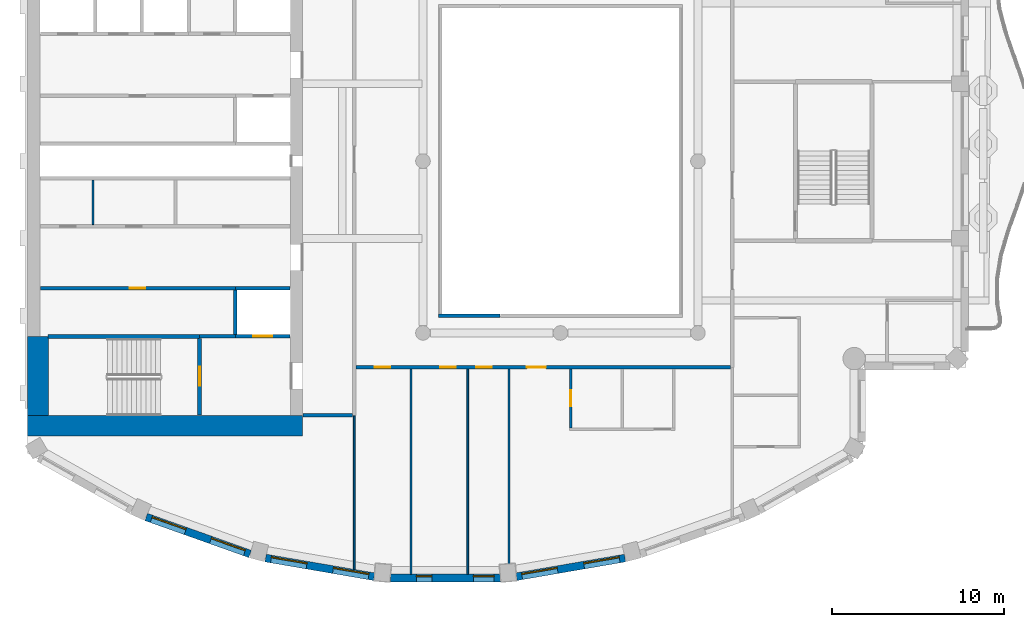
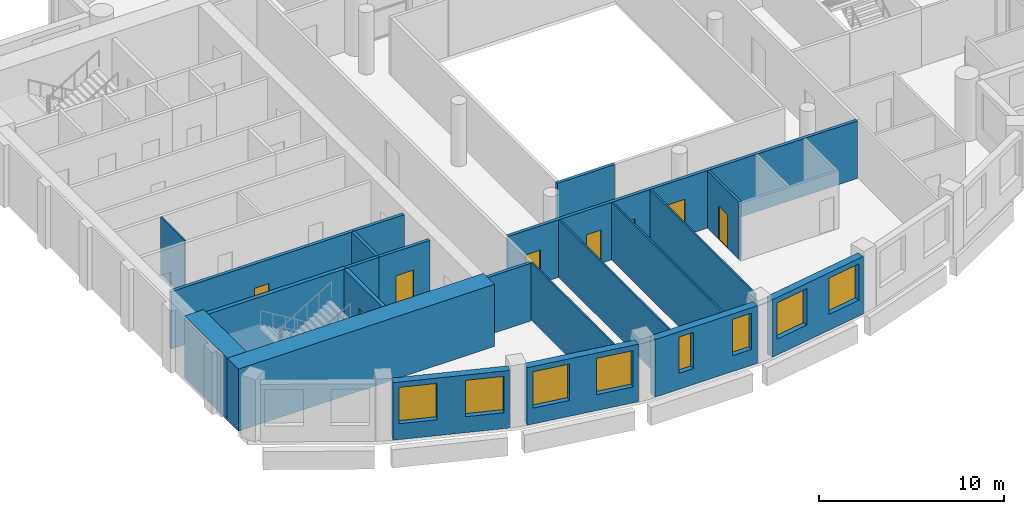
# One storey, part 4 of 14: 22 walls, 8 doors, 8 windows, 16 openings.
"""IFC4 building model written with IfcOpenShell, lengths in metres."""

from ifc_helpers import new_model, si_unit, direction, frame, frame_2d, origin, place, context, subcontext, project, spatial, rectangle, extrude, material, layer, layer_set, type_object, element, fill, save


model = new_model("IFC4")

# Units and contexts
model_context = context("Model", 3, precision=1e-05, world=origin(), true_north=direction((0.0, 1.0)))
body_context = subcontext(model_context, "Body", "Model", "MODEL_VIEW")
ifc_project = project(units=[si_unit("LENGTHUNIT", "METRE"), si_unit("AREAUNIT", "SQUARE_METRE"), si_unit("VOLUMEUNIT", "CUBIC_METRE"), si_unit("PLANEANGLEUNIT", "RADIAN"), si_unit("MASSUNIT", "GRAM", prefix="KILO")], contexts=[model_context])

# Site, building, storey
site_placement = place(None, origin())
site = spatial("IfcSite", under=ifc_project, at=site_placement, CompositionType="ELEMENT")
building_placement = place(site_placement, origin())
building = spatial("IfcBuilding", under=site, at=building_placement, Name="Cypress Arch Tower", CompositionType="ELEMENT")
storey_placement = place(building_placement, frame((0.0, 0.0, 280.300048828125)))
storey = spatial("IfcBuildingStorey", under=building, at=storey_placement, Name="L63", CompositionType="ELEMENT", Elevation=280.300048828125)

# Wall, openings, windows
ifc_material_1 = material(Name="Brick (red buff blend)", Category="masonry")
ifc_layer_1 = layer(ifc_material_1, 0.449951171875)
ifc_layer_set_1 = layer_set([ifc_layer_1], Name="Brick pier and spandrel wall BW450")
wall_type_1 = type_object("IfcWallType", Name="Brick pier and spandrel wall BW450", PredefinedType="SOLIDWALL", material=ifc_layer_set_1)
wall_1_placement = place(storey_placement, frame((-23.10498046875, -20.70947265625, 0.0), z_axis=(0.0, 0.0, 1.0), x_axis=(0.942104058931, -0.335320655711, 0.0)))
wall_1 = element("IfcWall", 1, at=wall_1_placement, inside=storey, type_object=wall_type_1, Name="Brick wall L63 C09.0", PredefinedType="SOLIDWALL", context=body_context, shape_type="SweptSolid", body=[
    extrude(rectangle(XDim=6.411376953125, YDim=0.449951171875, at=frame_2d((3.20556640625, 0.0))), origin(), (0.0, 0.0, 1.0), 3.800048828125),
])
opening_1_placement = place(wall_1_placement, frame((0.3271484375, 0.0, 1.050048828125)))
opening_1 = element("IfcOpeningElement", 2, at=opening_1_placement, cuts=wall_1, Name="Opening W210O", PredefinedType="OPENING", context=body_context, shape_type="SweptSolid", body=[
    extrude(rectangle(XDim=2.10009765625, YDim=2.39990234375, at=frame_2d((1.050048828125, 1.199951171875))), frame((0.0, 0.23486328125, 0.0), z_axis=(0.0, -1.0, 0.0), x_axis=(1.0, 0.0, 0.0)), (0.0, 0.0, 1.0), 0.469970703125),
])
opening_2_placement = place(wall_1_placement, frame((3.984619140625, 0.0, 1.050048828125)))
opening_2 = element("IfcOpeningElement", 3, at=opening_2_placement, cuts=wall_1, Name="Opening W210O", PredefinedType="OPENING", context=body_context, shape_type="SweptSolid", body=[
    extrude(rectangle(XDim=2.10009765625, YDim=2.39990234375, at=frame_2d((1.050048828125, 1.199951171875))), frame((0.0, 0.23486328125, 0.0), z_axis=(0.0, -1.0, 0.0), x_axis=(1.0, 0.0, 0.0)), (0.0, 0.0, 1.0), 0.469970703125),
])
ifc_material_2 = material(Name="Anodised aluminium, bronze finish, clear low-emissivity double glazing", Category="aluminium")
window_type_1 = type_object("IfcWindowType", Name="Window Office 2100x2400", PartitioningType="SINGLE_PANEL", PredefinedType="WINDOW", material=ifc_material_2)
window_1_placement = place(opening_1_placement, origin())
window_1 = element("IfcWindow", 4, at=window_1_placement, inside=storey, type_object=window_type_1, Name="Window L63 C09.0.1", OverallHeight=2.39990234375, OverallWidth=2.10009765625, PartitioningType="SINGLE_PANEL", PredefinedType="WINDOW", context=body_context, shape_type="SweptSolid", body=[
    extrude(rectangle(XDim=2.10009765625, YDim=2.39990234375, at=frame_2d((1.050048828125, 1.199951171875))), frame((0.0, 0.135009765625, 0.0), z_axis=(0.0, -1.0, 0.0), x_axis=(1.0, 0.0, 0.0)), (0.0, 0.0, 1.0), 0.06005859375),
])
fill(opening_1, window_1)
window_2_placement = place(opening_2_placement, origin())
window_2 = element("IfcWindow", 5, at=window_2_placement, inside=storey, type_object=window_type_1, Name="Window L63 C09.0.2", OverallHeight=2.39990234375, OverallWidth=2.10009765625, PartitioningType="SINGLE_PANEL", PredefinedType="WINDOW", context=body_context, shape_type="SweptSolid", body=[
    extrude(rectangle(XDim=2.10009765625, YDim=2.39990234375, at=frame_2d((1.050048828125, 1.199951171875))), frame((0.0, 0.135009765625, 0.0), z_axis=(0.0, -1.0, 0.0), x_axis=(1.0, 0.0, 0.0)), (0.0, 0.0, 1.0), 0.06005859375),
])
fill(opening_2, window_2)

wall_2_placement = place(storey_placement, frame((-16.15673828125, -23.09716796875, 0.0), z_axis=(0.0, 0.0, 1.0), x_axis=(0.985502073964, -0.169663379113, 0.0)))
wall_2 = element("IfcWall", 6, at=wall_2_placement, inside=storey, type_object=wall_type_1, Name="Brick wall L63 C10.0", PredefinedType="SOLIDWALL", context=body_context, shape_type="SweptSolid", body=[
    extrude(rectangle(XDim=6.412109375, YDim=0.449951171875, at=frame_2d((3.2060546875, 0.0))), origin(), (0.0, 0.0, 1.0), 3.800048828125),
])
opening_3_placement = place(wall_2_placement, frame((0.3271484375, 0.0, 1.050048828125)))
opening_3 = element("IfcOpeningElement", 7, at=opening_3_placement, cuts=wall_2, Name="Opening W210O", PredefinedType="OPENING", context=body_context, shape_type="SweptSolid", body=[
    extrude(rectangle(XDim=2.10009765625, YDim=2.39990234375, at=frame_2d((1.050048828125, 1.199951171875))), frame((0.0, 0.23486328125, 0.0), z_axis=(0.0, -1.0, 0.0), x_axis=(1.0, 0.0, 0.0)), (0.0, 0.0, 1.0), 0.469970703125),
])
opening_4_placement = place(wall_2_placement, frame((3.98486328125, 0.0, 1.050048828125)))
opening_4 = element("IfcOpeningElement", 8, at=opening_4_placement, cuts=wall_2, Name="Opening W210O", PredefinedType="OPENING", context=body_context, shape_type="SweptSolid", body=[
    extrude(rectangle(XDim=2.10009765625, YDim=2.39990234375, at=frame_2d((1.050048828125, 1.199951171875))), frame((0.0, 0.23486328125, 0.0), z_axis=(0.0, -1.0, 0.0), x_axis=(1.0, 0.0, 0.0)), (0.0, 0.0, 1.0), 0.469970703125),
])
window_3_placement = place(opening_3_placement, origin())
window_3 = element("IfcWindow", 9, at=window_3_placement, inside=storey, type_object=window_type_1, Name="Window L63 C10.0.1", OverallHeight=2.39990234375, OverallWidth=2.10009765625, PartitioningType="SINGLE_PANEL", PredefinedType="WINDOW", context=body_context, shape_type="SweptSolid", body=[
    extrude(rectangle(XDim=2.10009765625, YDim=2.39990234375, at=frame_2d((1.050048828125, 1.199951171875))), frame((0.0, 0.135009765625, 0.0), z_axis=(0.0, -1.0, 0.0), x_axis=(1.0, 0.0, 0.0)), (0.0, 0.0, 1.0), 0.06005859375),
])
fill(opening_3, window_3)
window_4_placement = place(opening_4_placement, origin())
window_4 = element("IfcWindow", 10, at=window_4_placement, inside=storey, type_object=window_type_1, Name="Window L63 C10.0.2", OverallHeight=2.39990234375, OverallWidth=2.10009765625, PartitioningType="SINGLE_PANEL", PredefinedType="WINDOW", context=body_context, shape_type="SweptSolid", body=[
    extrude(rectangle(XDim=2.10009765625, YDim=2.39990234375, at=frame_2d((1.050048828125, 1.199951171875))), frame((0.0, 0.135009765625, 0.0), z_axis=(0.0, -1.0, 0.0), x_axis=(1.0, 0.0, 0.0)), (0.0, 0.0, 1.0), 0.06005859375),
])
fill(opening_4, window_4)

wall_3_placement = place(storey_placement, frame((-8.90283203125, -24.264892578125, 0.0), z_axis=(0.0, 0.0, 1.0), x_axis=(1.0, 0.0, 0.0)))
wall_3 = element("IfcWall", 11, at=wall_3_placement, inside=storey, type_object=wall_type_1, Name="Brick wall L63 C11.0", PredefinedType="SOLIDWALL", context=body_context, shape_type="SweptSolid", body=[
    extrude(rectangle(XDim=6.405517578125, YDim=0.449951171875, at=frame_2d((3.20263671875, 0.0))), origin(), (0.0, 0.0, 1.0), 3.800048828125),
])
opening_5_placement = place(wall_3_placement, frame((1.51416015625, 0.0, 1.050048828125)))
opening_5 = element("IfcOpeningElement", 12, at=opening_5_placement, cuts=wall_3, Name="Opening W090O", PredefinedType="OPENING", context=body_context, shape_type="SweptSolid", body=[
    extrude(rectangle(XDim=0.89990234375, YDim=2.39990234375, at=frame_2d((0.449951171875, 1.199951171875))), frame((0.0, 0.23486328125, 0.0), z_axis=(0.0, -1.0, 0.0), x_axis=(1.0, 0.0, 0.0)), (0.0, 0.0, 1.0), 0.469970703125),
])
opening_6_placement = place(wall_3_placement, frame((4.84130859375, 0.0, 1.050048828125)))
opening_6 = element("IfcOpeningElement", 13, at=opening_6_placement, cuts=wall_3, Name="Opening W120O", PredefinedType="OPENING", context=body_context, shape_type="SweptSolid", body=[
    extrude(rectangle(XDim=1.199951171875, YDim=2.39990234375, at=frame_2d((0.60009765625, 1.199951171875))), frame((0.0, 0.23486328125, 0.0), z_axis=(0.0, -1.0, 0.0), x_axis=(1.0, 0.0, 0.0)), (0.0, 0.0, 1.0), 0.469970703125),
])
ifc_material_3 = material(Name="Anodised aluminium, bronze finish, clear low-emissivity double glazing", Category="aluminium")
window_type_2 = type_object("IfcWindowType", Name="Window Office 1200x2400", PartitioningType="SINGLE_PANEL", PredefinedType="WINDOW", material=ifc_material_3)
window_5_placement = place(opening_6_placement, origin())
window_5 = element("IfcWindow", 14, at=window_5_placement, inside=storey, type_object=window_type_2, Name="Window L63 C11.0.2", OverallHeight=2.39990234375, OverallWidth=1.199951171875, PartitioningType="SINGLE_PANEL", PredefinedType="WINDOW", context=body_context, shape_type="SweptSolid", body=[
    extrude(rectangle(XDim=1.199951171875, YDim=2.39990234375, at=frame_2d((0.60009765625, 1.199951171875))), frame((0.0, 0.135009765625, 0.0), z_axis=(0.0, -1.0, 0.0), x_axis=(1.0, 0.0, 0.0)), (0.0, 0.0, 1.0), 0.06005859375),
])
fill(opening_6, window_5)
ifc_material_4 = material(Name="Anodised aluminium, bronze finish, clear low-emissivity double glazing", Category="aluminium")
window_type_3 = type_object("IfcWindowType", Name="Window Office 900x2400", PartitioningType="SINGLE_PANEL", PredefinedType="WINDOW", material=ifc_material_4)
window_6_placement = place(opening_5_placement, origin())
window_6 = element("IfcWindow", 15, at=window_6_placement, inside=storey, type_object=window_type_3, Name="Window L63 C11.0.1", OverallHeight=2.39990234375, OverallWidth=0.89990234375, PartitioningType="SINGLE_PANEL", PredefinedType="WINDOW", context=body_context, shape_type="SweptSolid", body=[
    extrude(rectangle(XDim=0.89990234375, YDim=2.39990234375, at=frame_2d((0.449951171875, 1.199951171875))), frame((0.0, 0.135009765625, 0.0), z_axis=(0.0, -1.0, 0.0), x_axis=(1.0, 0.0, 0.0)), (0.0, 0.0, 1.0), 0.06005859375),
])
fill(opening_5, window_6)

wall_4_placement = place(storey_placement, frame((-1.562255859375, -24.18505859375, 0.0), z_axis=(0.0, 0.0, 1.0), x_axis=(0.985502073964, 0.169663379113, 0.0)))
wall_4 = element("IfcWall", 16, at=wall_4_placement, inside=storey, type_object=wall_type_1, Name="Brick wall L63 C12.0", PredefinedType="SOLIDWALL", context=body_context, shape_type="SweptSolid", body=[
    extrude(rectangle(XDim=6.412109375, YDim=0.449951171875, at=frame_2d((3.2060546875, 0.0))), origin(), (0.0, 0.0, 1.0), 3.800048828125),
])
opening_7_placement = place(wall_4_placement, frame((0.3271484375, 0.0, 1.050048828125)))
opening_7 = element("IfcOpeningElement", 17, at=opening_7_placement, cuts=wall_4, Name="Opening W210O", PredefinedType="OPENING", context=body_context, shape_type="SweptSolid", body=[
    extrude(rectangle(XDim=2.10009765625, YDim=2.39990234375, at=frame_2d((1.050048828125, 1.199951171875))), frame((0.0, 0.23486328125, 0.0), z_axis=(0.0, -1.0, 0.0), x_axis=(1.0, 0.0, 0.0)), (0.0, 0.0, 1.0), 0.469970703125),
])
opening_8_placement = place(wall_4_placement, frame((3.98486328125, 0.0, 1.050048828125)))
opening_8 = element("IfcOpeningElement", 18, at=opening_8_placement, cuts=wall_4, Name="Opening W210O", PredefinedType="OPENING", context=body_context, shape_type="SweptSolid", body=[
    extrude(rectangle(XDim=2.10009765625, YDim=2.39990234375, at=frame_2d((1.050048828125, 1.199951171875))), frame((0.0, 0.23486328125, 0.0), z_axis=(0.0, -1.0, 0.0), x_axis=(1.0, 0.0, 0.0)), (0.0, 0.0, 1.0), 0.469970703125),
])
window_7_placement = place(opening_7_placement, origin())
window_7 = element("IfcWindow", 19, at=window_7_placement, inside=storey, type_object=window_type_1, Name="Window L63 C12.0.1", OverallHeight=2.39990234375, OverallWidth=2.10009765625, PartitioningType="SINGLE_PANEL", PredefinedType="WINDOW", context=body_context, shape_type="SweptSolid", body=[
    extrude(rectangle(XDim=2.10009765625, YDim=2.39990234375, at=frame_2d((1.050048828125, 1.199951171875))), frame((0.0, 0.135009765625, 0.0), z_axis=(0.0, -1.0, 0.0), x_axis=(1.0, 0.0, 0.0)), (0.0, 0.0, 1.0), 0.06005859375),
])
fill(opening_7, window_7)
window_8_placement = place(opening_8_placement, origin())
window_8 = element("IfcWindow", 20, at=window_8_placement, inside=storey, type_object=window_type_1, Name="Window L63 C12.0.2", OverallHeight=2.39990234375, OverallWidth=2.10009765625, PartitioningType="SINGLE_PANEL", PredefinedType="WINDOW", context=body_context, shape_type="SweptSolid", body=[
    extrude(rectangle(XDim=2.10009765625, YDim=2.39990234375, at=frame_2d((1.050048828125, 1.199951171875))), frame((0.0, 0.135009765625, 0.0), z_axis=(0.0, -1.0, 0.0), x_axis=(1.0, 0.0, 0.0)), (0.0, 0.0, 1.0), 0.06005859375),
])
fill(opening_8, window_8)

# Walls
ifc_material_5 = material(Name="Concrete C60/75", Category="concrete")
ifc_layer_2 = layer(ifc_material_5, 1.199951171875)
ifc_layer_set_2 = layer_set([ifc_layer_2], Name="Core wall CW1200 C60/75")
wall_type_2 = type_object("IfcWallType", Name="Core wall CW1200 C60/75", PredefinedType="SHEAR", material=ifc_layer_set_2)
wall_5_placement = place(storey_placement, frame((-30.0, -15.39990234375, 0.0), z_axis=(0.0, 0.0, 1.0), x_axis=(1.0, 0.0, 0.0)))
element("IfcWall", 21, at=wall_5_placement, inside=storey, type_object=wall_type_2, Name="Core wall", PredefinedType="SHEAR", context=body_context, shape_type="SweptSolid", body=[
    extrude(rectangle(XDim=16.0, YDim=1.199951171875, at=frame_2d((8.0, 0.0))), origin(), (0.0, 0.0, 1.0), 4.099853515625),
])
wall_6_placement = place(storey_placement, frame((-29.39990234375, -14.800048828125, 0.0), z_axis=(0.0, 0.0, 1.0), x_axis=(0.0, 1.0, 0.0)))
element("IfcWall", 22, at=wall_6_placement, inside=storey, type_object=wall_type_2, Name="Core wall", PredefinedType="SHEAR", context=body_context, shape_type="SweptSolid", body=[
    extrude(rectangle(XDim=4.60009765625, YDim=1.199951171875, at=frame_2d((2.300048828125, 0.0))), origin(), (0.0, 0.0, 1.0), 4.099853515625),
])

# Wall, opening, door
ifc_material_6 = material(Name="Concrete blockwork, plastered, rated", Category="masonry")
ifc_layer_3 = layer(ifc_material_6, 0.199951171875)
ifc_layer_set_3 = layer_set([ifc_layer_3], Name="Corridor wall FW200")
wall_type_3 = type_object("IfcWallType", Name="Corridor wall FW200", PredefinedType="PARTITIONING", material=ifc_layer_set_3)
wall_7_placement = place(storey_placement, frame((-29.27001953125, -7.39990234375, 0.0), z_axis=(0.0, 0.0, 1.0), x_axis=(1.0, 0.0, 0.0)))
wall_7 = element("IfcWall", 23, at=wall_7_placement, inside=storey, type_object=wall_type_3, Name="Corridor wall", PredefinedType="PARTITIONING", context=body_context, shape_type="SweptSolid", body=[
    extrude(rectangle(XDim=11.3701171875, YDim=0.199951171875, at=frame_2d((5.68505859375, 0.0))), origin(), (0.0, 0.0, 1.0), 3.800048828125),
])
opening_9_placement = place(wall_7_placement, frame((5.199951171875, 0.0, 0.0)))
opening_9 = element("IfcOpeningElement", 24, at=opening_9_placement, cuts=wall_7, Name="Opening D05", PredefinedType="OPENING", context=body_context, shape_type="SweptSolid", body=[
    extrude(rectangle(XDim=0.89990234375, YDim=2.199951171875, at=frame_2d((0.449951171875, 1.10009765625))), frame((0.0, 0.10986328125, 0.0), z_axis=(0.0, -1.0, 0.0), x_axis=(1.0, 0.0, 0.0)), (0.0, 0.0, 1.0), 0.219970703125),
])
ifc_material_7 = material(Name="Timber flush door", Category="wood")
door_type_1 = type_object("IfcDoorType", Name="Service door D05 900x2200", OperationType="SINGLE_SWING_LEFT", PredefinedType="DOOR", material=ifc_material_7)
door_1_placement = place(opening_9_placement, origin())
door_1 = element("IfcDoor", 25, at=door_1_placement, inside=storey, type_object=door_type_1, Name="Service door", OperationType="SINGLE_SWING_RIGHT", OverallHeight=2.199951171875, OverallWidth=0.89990234375, PredefinedType="DOOR", context=body_context, shape_type="SweptSolid", body=[
    extrude(rectangle(XDim=0.89990234375, YDim=2.199951171875, at=frame_2d((0.449951171875, 1.10009765625))), frame((0.0, 0.02490234375, 0.0), z_axis=(0.0, -1.0, 0.0), x_axis=(1.0, 0.0, 0.0)), (0.0, 0.0, 1.0), 0.050048828125),
])
fill(opening_9, door_1)

# Walls
wall_8_placement = place(storey_placement, frame((-20.0, -10.199951171875, 0.0), z_axis=(0.0, 0.0, 1.0), x_axis=(1.0, 0.0, 0.0)))
element("IfcWall", 26, at=wall_8_placement, inside=storey, type_object=wall_type_3, Name="Corridor wall", PredefinedType="PARTITIONING", context=body_context, shape_type="SweptSolid", body=[
    extrude(rectangle(XDim=2.080078125, YDim=0.199951171875, at=frame_2d((1.0400390625, 0.0))), origin(), (0.0, 0.0, 1.0), 3.800048828125),
])
wall_9_placement = place(storey_placement, frame((-13.969970703125, -14.800048828125, 0.0), z_axis=(0.0, 0.0, 1.0), x_axis=(1.0, 0.0, 0.0)))
element("IfcWall", 27, at=wall_9_placement, inside=storey, type_object=wall_type_3, Name="Corridor wall", PredefinedType="PARTITIONING", context=body_context, shape_type="SweptSolid", body=[
    extrude(rectangle(XDim=2.869873046875, YDim=0.199951171875, at=frame_2d((1.43505859375, 0.0))), origin(), (0.0, 0.0, 1.0), 3.800048828125),
])

# Wall, openings, doors
wall_10_placement = place(storey_placement, frame((-10.89990234375, -12.0, 0.0), z_axis=(0.0, 0.0, 1.0), x_axis=(1.0, 0.0, 0.0)))
wall_10 = element("IfcWall", 28, at=wall_10_placement, inside=storey, type_object=wall_type_3, Name="Corridor wall", PredefinedType="PARTITIONING", context=body_context, shape_type="SweptSolid", body=[
    extrude(rectangle(XDim=21.7998046875, YDim=0.199951171875, at=frame_2d((10.89990234375, 0.0))), origin(), (0.0, 0.0, 1.0), 3.800048828125),
])
opening_10_placement = place(wall_10_placement, frame((1.10009765625, 0.0, 0.0)))
opening_10 = element("IfcOpeningElement", 29, at=opening_10_placement, cuts=wall_10, Name="Opening D03", PredefinedType="OPENING", context=body_context, shape_type="SweptSolid", body=[
    extrude(rectangle(XDim=0.89990234375, YDim=2.199951171875, at=frame_2d((0.449951171875, 1.10009765625))), frame((0.0, 0.10986328125, 0.0), z_axis=(0.0, -1.0, 0.0), x_axis=(1.0, 0.0, 0.0)), (0.0, 0.0, 1.0), 0.219970703125),
])
opening_11_placement = place(wall_10_placement, frame((4.89990234375, 0.0, 0.0)))
opening_11 = element("IfcOpeningElement", 30, at=opening_11_placement, cuts=wall_10, Name="Opening D03", PredefinedType="OPENING", context=body_context, shape_type="SweptSolid", body=[
    extrude(rectangle(XDim=0.89990234375, YDim=2.199951171875, at=frame_2d((0.449951171875, 1.10009765625))), frame((0.0, 0.10986328125, 0.0), z_axis=(0.0, -1.0, 0.0), x_axis=(1.0, 0.0, 0.0)), (0.0, 0.0, 1.0), 0.219970703125),
])
opening_12_placement = place(wall_10_placement, frame((7.0, 0.0, 0.0)))
opening_12 = element("IfcOpeningElement", 31, at=opening_12_placement, cuts=wall_10, Name="Opening D03", PredefinedType="OPENING", context=body_context, shape_type="SweptSolid", body=[
    extrude(rectangle(XDim=0.89990234375, YDim=2.199951171875, at=frame_2d((0.449951171875, 1.10009765625))), frame((0.0, 0.10986328125, 0.0), z_axis=(0.0, -1.0, 0.0), x_axis=(1.0, 0.0, 0.0)), (0.0, 0.0, 1.0), 0.219970703125),
])
opening_13_placement = place(wall_10_placement, frame((9.949951171875, 0.0, 0.0)))
opening_13 = element("IfcOpeningElement", 32, at=opening_13_placement, cuts=wall_10, Name="Opening D01", PredefinedType="OPENING", context=body_context, shape_type="SweptSolid", body=[
    extrude(rectangle(XDim=1.10009765625, YDim=2.39990234375, at=frame_2d((0.550048828125, 1.199951171875))), frame((0.0, 0.10986328125, 0.0), z_axis=(0.0, -1.0, 0.0), x_axis=(1.0, 0.0, 0.0)), (0.0, 0.0, 1.0), 0.219970703125),
])
ifc_material_8 = material(Name="Timber flush door, moisture resistant", Category="wood")
door_type_2 = type_object("IfcDoorType", Name="Bathroom door D03 900x2200", OperationType="SINGLE_SWING_LEFT", PredefinedType="DOOR", material=ifc_material_8)
door_2_placement = place(opening_10_placement, origin())
door_2 = element("IfcDoor", 33, at=door_2_placement, inside=storey, type_object=door_type_2, Name="Bathroom door", OperationType="SINGLE_SWING_RIGHT", OverallHeight=2.199951171875, OverallWidth=0.89990234375, PredefinedType="DOOR", context=body_context, shape_type="SweptSolid", body=[
    extrude(rectangle(XDim=0.89990234375, YDim=2.199951171875, at=frame_2d((0.449951171875, 1.10009765625))), frame((0.0, 0.02490234375, 0.0), z_axis=(0.0, -1.0, 0.0), x_axis=(1.0, 0.0, 0.0)), (0.0, 0.0, 1.0), 0.050048828125),
])
fill(opening_10, door_2)
door_3_placement = place(opening_11_placement, origin())
door_3 = element("IfcDoor", 34, at=door_3_placement, inside=storey, type_object=door_type_2, Name="Bathroom door", OperationType="SINGLE_SWING_LEFT", OverallHeight=2.199951171875, OverallWidth=0.89990234375, PredefinedType="DOOR", context=body_context, shape_type="SweptSolid", body=[
    extrude(rectangle(XDim=0.89990234375, YDim=2.199951171875, at=frame_2d((0.449951171875, 1.10009765625))), frame((0.0, 0.02490234375, 0.0), z_axis=(0.0, -1.0, 0.0), x_axis=(1.0, 0.0, 0.0)), (0.0, 0.0, 1.0), 0.050048828125),
])
fill(opening_11, door_3)
door_4_placement = place(opening_12_placement, origin())
door_4 = element("IfcDoor", 35, at=door_4_placement, inside=storey, type_object=door_type_2, Name="Bathroom door", OperationType="SINGLE_SWING_RIGHT", OverallHeight=2.199951171875, OverallWidth=0.89990234375, PredefinedType="DOOR", context=body_context, shape_type="SweptSolid", body=[
    extrude(rectangle(XDim=0.89990234375, YDim=2.199951171875, at=frame_2d((0.449951171875, 1.10009765625))), frame((0.0, 0.02490234375, 0.0), z_axis=(0.0, -1.0, 0.0), x_axis=(1.0, 0.0, 0.0)), (0.0, 0.0, 1.0), 0.050048828125),
])
fill(opening_12, door_4)
ifc_material_9 = material(Name="Timber flush door, fire resisting, self-closing", Category="wood")
door_type_3 = type_object("IfcDoorType", Name="Unit entrance door D01 1100x2400", OperationType="SINGLE_SWING_LEFT", PredefinedType="DOOR", material=ifc_material_9)
door_5_placement = place(opening_13_placement, origin())
door_5 = element("IfcDoor", 36, at=door_5_placement, inside=storey, type_object=door_type_3, Name="Unit entrance door", OperationType="SINGLE_SWING_RIGHT", OverallHeight=2.39990234375, OverallWidth=1.10009765625, PredefinedType="DOOR", context=body_context, shape_type="SweptSolid", body=[
    extrude(rectangle(XDim=1.10009765625, YDim=2.39990234375, at=frame_2d((0.550048828125, 1.199951171875))), frame((0.0, 0.02490234375, 0.0), z_axis=(0.0, -1.0, 0.0), x_axis=(1.0, 0.0, 0.0)), (0.0, 0.0, 1.0), 0.050048828125),
])
fill(opening_13, door_5)

# Wall
wall_11_placement = place(storey_placement, frame((-6.10009765625, -9.0, 0.0), z_axis=(0.0, 0.0, 1.0), x_axis=(1.0, 0.0, 0.0)))
element("IfcWall", 37, at=wall_11_placement, inside=storey, type_object=wall_type_3, Name="Corridor wall", PredefinedType="PARTITIONING", context=body_context, shape_type="SweptSolid", body=[
    extrude(rectangle(XDim=3.580078125, YDim=0.199951171875, at=frame_2d((1.7900390625, 0.0))), origin(), (0.0, 0.0, 1.0), 3.800048828125),
])

# Wall, opening, door
ifc_material_10 = material(Name="Blockwork, plastered both sides", Category="masonry")
ifc_layer_4 = layer(ifc_material_10, 0.14990234375)
ifc_layer_set_4 = layer_set([ifc_layer_4], Name="Partition PW150")
wall_type_4 = type_object("IfcWallType", Name="Partition PW150", PredefinedType="PARTITIONING", material=ifc_layer_set_4)
wall_12_placement = place(storey_placement, frame((1.60107421875, -15.52490234375, 0.0), z_axis=(0.0, 0.0, 1.0), x_axis=(0.0, 1.0, 0.0)))
wall_12 = element("IfcWall", 38, at=wall_12_placement, inside=storey, type_object=wall_type_4, Name="Partition", PredefinedType="PARTITIONING", context=body_context, shape_type="SweptSolid", body=[
    extrude(rectangle(XDim=3.4248046875, YDim=0.14990234375, at=frame_2d((1.71240234375, 0.0))), origin(), (0.0, 0.0, 1.0), 3.800048828125),
])
opening_14_placement = place(wall_12_placement, frame((1.25, 0.0, 0.0)))
opening_14 = element("IfcOpeningElement", 39, at=opening_14_placement, cuts=wall_12, Name="Opening D12", PredefinedType="OPENING", context=body_context, shape_type="SweptSolid", body=[
    extrude(rectangle(XDim=0.949951171875, YDim=2.199951171875, at=frame_2d((0.47509765625, 1.10009765625))), frame((0.0, 0.0849609375, 0.0), z_axis=(0.0, -1.0, 0.0), x_axis=(1.0, 0.0, 0.0)), (0.0, 0.0, 1.0), 0.169921875),
])
ifc_material_11 = material(Name="Timber flush door", Category="wood")
door_type_4 = type_object("IfcDoorType", Name="Room door D12 950x2200", OperationType="SINGLE_SWING_LEFT", PredefinedType="DOOR", material=ifc_material_11)
door_6_placement = place(opening_14_placement, origin())
door_6 = element("IfcDoor", 40, at=door_6_placement, inside=storey, type_object=door_type_4, Name="Room door", OperationType="SINGLE_SWING_RIGHT", OverallHeight=2.199951171875, OverallWidth=0.949951171875, PredefinedType="DOOR", context=body_context, shape_type="SweptSolid", body=[
    extrude(rectangle(XDim=0.949951171875, YDim=2.199951171875, at=frame_2d((0.47509765625, 1.10009765625))), frame((0.0, 0.02490234375, 0.0), z_axis=(0.0, -1.0, 0.0), x_axis=(1.0, 0.0, 0.0)), (0.0, 0.0, 1.0), 0.050048828125),
])
fill(opening_14, door_6)

# Wall
ifc_material_12 = material(Name="Concrete C50/60", Category="concrete")
ifc_layer_5 = layer(ifc_material_12, 0.199951171875)
ifc_layer_set_5 = layer_set([ifc_layer_5], Name="Shaft wall SH200")
wall_type_5 = type_object("IfcWallType", Name="Shaft wall SH200", PredefinedType="SHEAR", material=ifc_layer_set_5)
wall_13_placement = place(storey_placement, frame((-17.919921875, -10.10009765625, 0.0), z_axis=(0.0, 0.0, 1.0), x_axis=(0.0, 1.0, 0.0)))
element("IfcWall", 41, at=wall_13_placement, inside=storey, type_object=wall_type_5, Name="Shaft wall", PredefinedType="SHEAR", context=body_context, shape_type="SweptSolid", body=[
    extrude(rectangle(XDim=2.60009765625, YDim=0.199951171875, at=frame_2d((1.300048828125, 0.0))), origin(), (0.0, 0.0, 1.0), 3.800048828125),
])

# Wall, opening, door
wall_14_placement = place(storey_placement, frame((-17.919921875, -10.199951171875, 0.0), z_axis=(0.0, 0.0, 1.0), x_axis=(1.0, 0.0, 0.0)))
wall_14 = element("IfcWall", 42, at=wall_14_placement, inside=storey, type_object=wall_type_5, Name="Shaft wall", PredefinedType="SHEAR", context=body_context, shape_type="SweptSolid", body=[
    extrude(rectangle(XDim=3.18994140625, YDim=0.199951171875, at=frame_2d((1.594970703125, 0.0))), origin(), (0.0, 0.0, 1.0), 3.800048828125),
])
opening_15_placement = place(wall_14_placement, frame((1.050048828125, 0.0, 0.0)))
opening_15 = element("IfcOpeningElement", 43, at=opening_15_placement, cuts=wall_14, Name="Opening LD-FL1", PredefinedType="OPENING", context=body_context, shape_type="SweptSolid", body=[
    extrude(rectangle(XDim=1.10009765625, YDim=2.199951171875, at=frame_2d((0.550048828125, 1.10009765625))), frame((0.0, 0.10986328125, 0.0), z_axis=(0.0, -1.0, 0.0), x_axis=(1.0, 0.0, 0.0)), (0.0, 0.0, 1.0), 0.219970703125),
])
ifc_material_13 = material(Name="Stainless steel centre-opening landing door, rated", Category="steel")
door_type_5 = type_object("IfcDoorType", Name="Lift landing door LD 1100x2200", OperationType="DOUBLE_DOOR_SLIDING", PredefinedType="DOOR", material=ifc_material_13)
door_7_placement = place(opening_15_placement, origin())
door_7 = element("IfcDoor", 44, at=door_7_placement, inside=storey, type_object=door_type_5, Name="Lift landing doors FL1", OperationType="DOUBLE_DOOR_SLIDING", OverallHeight=2.199951171875, OverallWidth=1.10009765625, PredefinedType="DOOR", context=body_context, shape_type="SweptSolid", body=[
    extrude(rectangle(XDim=1.10009765625, YDim=2.199951171875, at=frame_2d((0.550048828125, 1.10009765625))), frame((0.0, 0.02490234375, 0.0), z_axis=(0.0, -1.0, 0.0), x_axis=(1.0, 0.0, 0.0)), (0.0, 0.0, 1.0), 0.050048828125),
])
fill(opening_15, door_7)

# Walls
wall_15_placement = place(storey_placement, frame((-17.89990234375, -7.39990234375, 0.0), z_axis=(0.0, 0.0, 1.0), x_axis=(1.0, 0.0, 0.0)))
element("IfcWall", 45, at=wall_15_placement, inside=storey, type_object=wall_type_5, Name="Shaft wall", PredefinedType="SHEAR", context=body_context, shape_type="SweptSolid", body=[
    extrude(rectangle(XDim=3.169921875, YDim=0.199951171875, at=frame_2d((1.5849609375, 0.0))), origin(), (0.0, 0.0, 1.0), 3.800048828125),
])
ifc_material_14 = material(Name="Concrete C50/60", Category="concrete")
ifc_layer_6 = layer(ifc_material_14, 0.25)
ifc_layer_set_6 = layer_set([ifc_layer_6], Name="Stair enclosure wall SW250")
wall_type_6 = type_object("IfcWallType", Name="Stair enclosure wall SW250", PredefinedType="SHEAR", material=ifc_layer_set_6)
wall_16_placement = place(storey_placement, frame((-28.81005859375, -10.199951171875, 0.0), z_axis=(0.0, 0.0, 1.0), x_axis=(1.0, 0.0, 0.0)))
element("IfcWall", 46, at=wall_16_placement, inside=storey, type_object=wall_type_6, Name="Stair enclosure wall", PredefinedType="SHEAR", context=body_context, shape_type="SweptSolid", body=[
    extrude(rectangle(XDim=8.81005859375, YDim=0.25, at=frame_2d((4.405029296875, 0.0))), origin(), (0.0, 0.0, 1.0), 3.800048828125),
])

# Wall, opening, door
wall_17_placement = place(storey_placement, frame((-20.0, -14.77001953125, 0.0), z_axis=(0.0, 0.0, 1.0), x_axis=(0.0, 1.0, 0.0)))
wall_17 = element("IfcWall", 47, at=wall_17_placement, inside=storey, type_object=wall_type_6, Name="Stair enclosure wall", PredefinedType="SHEAR", context=body_context, shape_type="SweptSolid", body=[
    extrude(rectangle(XDim=4.445068359375, YDim=0.25, at=frame_2d((2.22265625, 0.0))), origin(), (0.0, 0.0, 1.0), 3.800048828125),
])
opening_16_placement = place(wall_17_placement, frame((1.699951171875, 0.0, 0.0)))
opening_16 = element("IfcOpeningElement", 48, at=opening_16_placement, cuts=wall_17, Name="Opening D06", PredefinedType="OPENING", context=body_context, shape_type="SweptSolid", body=[
    extrude(rectangle(XDim=1.10009765625, YDim=2.199951171875, at=frame_2d((0.550048828125, 1.10009765625))), frame((0.0, 0.135009765625, 0.0), z_axis=(0.0, -1.0, 0.0), x_axis=(1.0, 0.0, 0.0)), (0.0, 0.0, 1.0), 0.27001953125),
])
ifc_material_15 = material(Name="Steel door, fire resisting, panic bar", Category="steel")
door_type_6 = type_object("IfcDoorType", Name="Stair door D06 1100x2200", OperationType="SINGLE_SWING_LEFT", PredefinedType="DOOR", material=ifc_material_15)
door_8_placement = place(opening_16_placement, origin())
door_8 = element("IfcDoor", 49, at=door_8_placement, inside=storey, type_object=door_type_6, Name="Stair door", OperationType="SINGLE_SWING_RIGHT", OverallHeight=2.199951171875, OverallWidth=1.10009765625, PredefinedType="DOOR", context=body_context, shape_type="SweptSolid", body=[
    extrude(rectangle(XDim=1.10009765625, YDim=2.199951171875, at=frame_2d((0.550048828125, 1.10009765625))), frame((0.0, 0.02490234375, 0.0), z_axis=(0.0, -1.0, 0.0), x_axis=(1.0, 0.0, 0.0)), (0.0, 0.0, 1.0), 0.050048828125),
])
fill(opening_16, door_8)

# Walls
ifc_material_16 = material(Name="Moisture resistant board on steel studs, tiled", Category="steel")
ifc_layer_7 = layer(ifc_material_16, 0.10009765625)
ifc_layer_set_7 = layer_set([ifc_layer_7], Name="Wet wall PW100")
wall_type_7 = type_object("IfcWallType", Name="Wet wall PW100", PredefinedType="PARTITIONING", material=ifc_layer_set_7)
wall_18_placement = place(storey_placement, frame((-26.199951171875, -3.699951171875, 0.0), z_axis=(0.0, 0.0, 1.0), x_axis=(0.0, 1.0, 0.0)))
element("IfcWall", 50, at=wall_18_placement, inside=storey, type_object=wall_type_7, Name="Wet wall", PredefinedType="PARTITIONING", context=body_context, shape_type="SweptSolid", body=[
    extrude(rectangle(XDim=2.599853515625, YDim=0.10009765625, at=frame_2d((1.2998046875, 0.0))), origin(), (0.0, 0.0, 1.0), 3.800048828125),
])
wall_19_placement = place(storey_placement, frame((-11.0, -23.756591796875, 0.0), z_axis=(0.0, 0.0, 1.0), x_axis=(0.0, 1.0, 0.0)))
element("IfcWall", 51, at=wall_19_placement, inside=storey, type_object=wall_type_7, Name="Wet wall", PredefinedType="PARTITIONING", context=body_context, shape_type="SweptSolid", body=[
    extrude(rectangle(XDim=8.9365234375, YDim=0.10009765625, at=frame_2d((4.46826171875, 0.0))), origin(), (0.0, 0.0, 1.0), 3.800048828125),
])
for number, where, z_axis, x_axis, name in (
    (52, (-7.699951171875, -24.0400390625, 0.0), (0.0, 0.0, 1.0), (0.0, 1.0, 0.0), "Wet wall"),
    (53, (-4.39990234375, -24.0400390625, 0.0), (0.0, 0.0, 1.0), (0.0, 1.0, 0.0), "Wet wall"),
):
    element("IfcWall", number, at=place(storey_placement, frame(where, z_axis=z_axis, x_axis=x_axis)), inside=storey, type_object=wall_type_7, Name=name, PredefinedType="PARTITIONING", context=body_context, shape_type="SweptSolid", body=[
        extrude(rectangle(XDim=11.93994140625, YDim=0.10009765625, at=frame_2d((5.969970703125, 0.0))), origin(), (0.0, 0.0, 1.0), 3.800048828125),
    ])
wall_20_placement = place(storey_placement, frame((-2.0, -23.447265625, 0.0), z_axis=(0.0, 0.0, 1.0), x_axis=(0.0, 1.0, 0.0)))
element("IfcWall", 54, at=wall_20_placement, inside=storey, type_object=wall_type_7, Name="Wet wall", PredefinedType="PARTITIONING", context=body_context, shape_type="SweptSolid", body=[
    extrude(rectangle(XDim=11.34716796875, YDim=0.10009765625, at=frame_2d((5.673583984375, 0.0))), origin(), (0.0, 0.0, 1.0), 3.800048828125),
])

save(model, "model.ifc")
